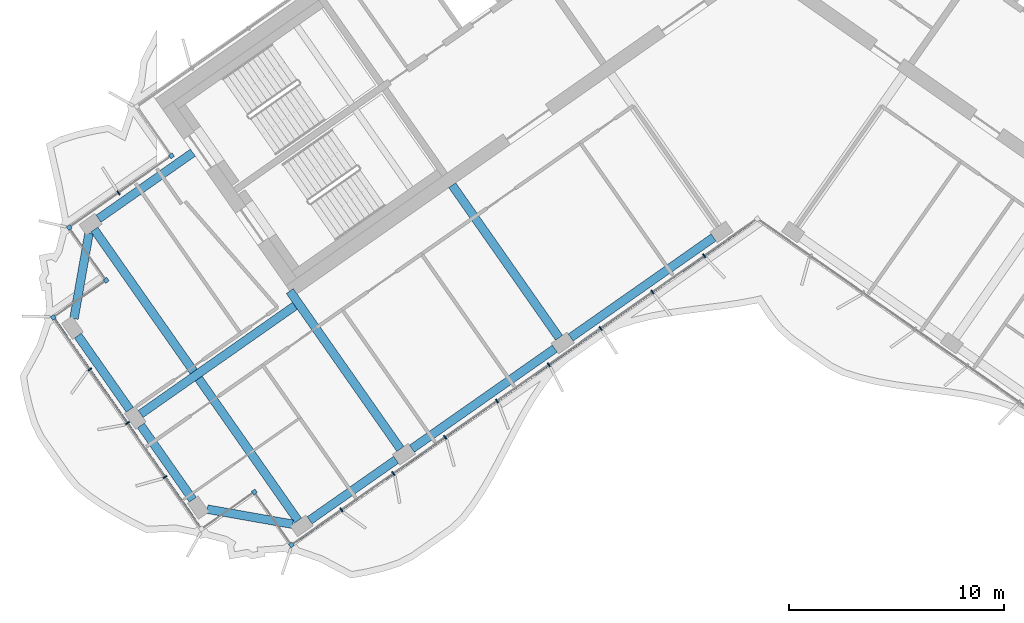
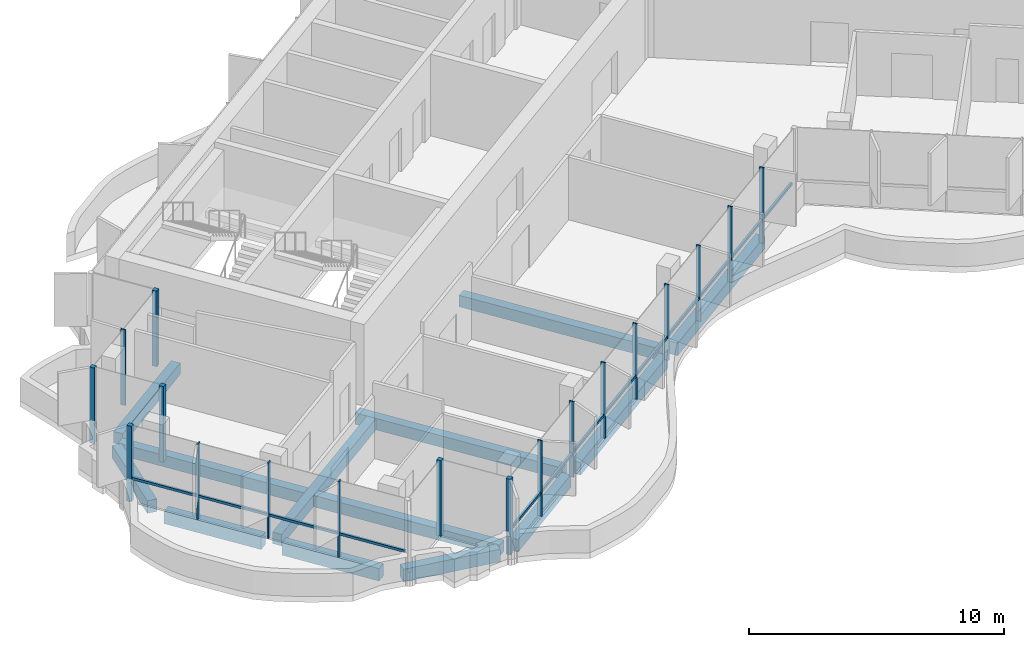
# One storey, part 2 of 17: 20 members, 12 beams, 2 elements without a shape of their own.
"""IFC4 building model written with IfcOpenShell, lengths in metres."""

from ifc_helpers import new_model, si_unit, direction, frame, origin, origin_2d, place, context, subcontext, project, spatial, rectangle, extrude, material, material_profile, profile_set, type_object, element, aggregate, save


model = new_model("IFC4")

# Units and contexts
model_context = context("Model", 3, precision=1e-05, world=origin(), true_north=direction((0.0, 1.0)))
body_context = subcontext(model_context, "Body", "Model", "MODEL_VIEW")
ifc_project = project(units=[si_unit("LENGTHUNIT", "METRE"), si_unit("AREAUNIT", "SQUARE_METRE"), si_unit("VOLUMEUNIT", "CUBIC_METRE"), si_unit("PLANEANGLEUNIT", "RADIAN"), si_unit("MASSUNIT", "GRAM", prefix="KILO")], contexts=[model_context])

# Site, building, storey
site_placement = place(None, origin())
site = spatial("IfcSite", under=ifc_project, at=site_placement, CompositionType="ELEMENT")
building_placement = place(site_placement, origin())
building = spatial("IfcBuilding", under=site, at=building_placement, Name="Tel Ilan Convention Tower", CompositionType="ELEMENT")
storey_placement = place(building_placement, frame((0.0, 0.0, 276.10009765625)))
storey = spatial("IfcBuildingStorey", under=building, at=storey_placement, Name="L65", CompositionType="ELEMENT", Elevation=276.10009765625)

# Beams
ifc_material_1 = material(Name="Concrete C40/50", Category="concrete")
ifc_material_profile_1 = material_profile(ifc_material_1, rectangle(XDim=0.39990234375, YDim=0.550048828125, at=origin_2d()), Name="RC 400x550")
ifc_profile_set_1 = profile_set([ifc_material_profile_1], Name="Concrete C40/50")
beam_type_1 = type_object("IfcBeamType", Name="Beam RC 400x550 Concrete C40/50", PredefinedType="BEAM", material=ifc_profile_set_1)
beam_1_placement = place(storey_placement, frame((-30.6005859375, -12.6982421875, -0.55517578125), z_axis=(0.819146154531, 0.573584847705, 0.0), x_axis=(-0.573584847705, 0.819146154531, 0.0)))
element("IfcBeam", 1, at=beam_1_placement, inside=storey, type_object=beam_type_1, Name="L65 beam W-W-BC-core", PredefinedType="BEAM", context=body_context, shape_type="SweptSolid", body=[
    extrude(rectangle(XDim=0.39990234375, YDim=0.550048828125, at=origin_2d()), origin(), (0.0, 0.0, 1.0), 5.349853515625),
])
beam_2_placement = place(storey_placement, frame((-9.209716796875, -18.229248046875, -0.55517578125), z_axis=(-0.573574099654, 0.819153680457, 0.0), x_axis=(-0.819153680457, -0.573574099654, 0.0)))
element("IfcBeam", 2, at=beam_2_placement, inside=storey, type_object=beam_type_1, Name="L65 beam W-W-F2-core", PredefinedType="BEAM", context=body_context, shape_type="SweptSolid", body=[
    extrude(rectangle(XDim=0.39990234375, YDim=0.550048828125, at=origin_2d()), origin(), (0.0, 0.0, 1.0), 8.64990234375),
])
beam_3_placement = place(storey_placement, frame((-16.58203125, -23.391357421875, -0.55517578125), z_axis=(-0.573584999642, 0.819146048141, 0.0), x_axis=(-0.819146048141, -0.573584999642, 0.0)))
element("IfcBeam", 3, at=beam_3_placement, inside=storey, type_object=beam_type_1, Name="L65 beam W-W-F3-core", PredefinedType="BEAM", context=body_context, shape_type="SweptSolid", body=[
    extrude(rectangle(XDim=0.39990234375, YDim=0.550048828125, at=origin_2d()), origin(), (0.0, 0.0, 1.0), 8.949951171875),
])
beam_4_placement = place(storey_placement, frame((-21.477783203125, -16.748046875, -0.55517578125), z_axis=(-0.819157197737, -0.573569076395, 0.0), x_axis=(0.573569076395, -0.819157197737, 0.0)))
element("IfcBeam", 4, at=beam_4_placement, inside=storey, type_object=beam_type_1, Name="L65 beam W-core-end", PredefinedType="BEAM", context=body_context, shape_type="SweptSolid", body=[
    extrude(rectangle(XDim=0.39990234375, YDim=0.550048828125, at=origin_2d()), origin(), (0.0, 0.0, 1.0), 8.75),
])
beam_5_placement = place(storey_placement, frame((-21.333251953125, -26.718017578125, -0.55517578125), z_axis=(-0.573574554643, 0.819153361872, 0.0), x_axis=(-0.819153361872, -0.573574554643, 0.0)))
element("IfcBeam", 5, at=beam_5_placement, inside=storey, type_object=beam_type_1, Name="L65 beam W-W-FC-W-BC", PredefinedType="BEAM", context=body_context, shape_type="SweptSolid", body=[
    extrude(rectangle(XDim=0.39990234375, YDim=0.550048828125, at=origin_2d()), origin(), (0.0, 0.0, 1.0), 16.499755859375),
])
ifc_material_2 = material(Name="Concrete C40/50", Category="concrete")
ifc_material_profile_2 = material_profile(ifc_material_2, rectangle(XDim=0.39990234375, YDim=0.60009765625, at=origin_2d()), Name="RC 400x600")
ifc_profile_set_2 = profile_set([ifc_material_profile_2], Name="Concrete C40/50")
beam_type_2 = type_object("IfcBeamType", Name="Beam RC 400x600 Concrete C40/50", PredefinedType="BEAM", material=ifc_profile_set_2)
beam_6_placement = place(storey_placement, frame((-2.033935546875, -13.57080078125, -0.580078125), z_axis=(-0.81914553362, -0.573585734437, 0.0), x_axis=(0.573585734437, -0.81914553362, 0.0)))
element("IfcBeam", 6, at=beam_6_placement, inside=storey, type_object=beam_type_2, Name="L65 beam W-W-F1-W-F2", PredefinedType="BEAM", context=body_context, shape_type="SweptSolid", body=[
    extrude(rectangle(XDim=0.39990234375, YDim=0.60009765625, at=origin_2d()), origin(), (0.0, 0.0, 1.0), 8.099853515625),
])
beam_7_placement = place(storey_placement, frame((-9.40625, -18.73291015625, -0.580078125), z_axis=(-0.819155449703, -0.573571572885, 0.0), x_axis=(0.573571572885, -0.819155449703, 0.0)))
element("IfcBeam", 7, at=beam_7_placement, inside=storey, type_object=beam_type_2, Name="L65 beam W-W-F2-W-F3", PredefinedType="BEAM", context=body_context, shape_type="SweptSolid", body=[
    extrude(rectangle(XDim=0.39990234375, YDim=0.60009765625, at=origin_2d()), origin(), (0.0, 0.0, 1.0), 8.10009765625),
])
beam_8_placement = place(storey_placement, frame((-16.778564453125, -23.895263671875, -0.580078125), z_axis=(-0.819154669329, -0.573572687386, 0.0), x_axis=(0.573572687386, -0.819154669329, 0.0)))
element("IfcBeam", 8, at=beam_8_placement, inside=storey, type_object=beam_type_2, Name="L65 beam W-W-F3-W-FC", PredefinedType="BEAM", context=body_context, shape_type="SweptSolid", body=[
    extrude(rectangle(XDim=0.39990234375, YDim=0.60009765625, at=origin_2d()), origin(), (0.0, 0.0, 1.0), 4.900146484375),
])
beam_9_placement = place(storey_placement, frame((-21.578857421875, -26.89013671875, -0.580078125), z_axis=(-0.984804894423, 0.173664388751, 0.0), x_axis=(-0.173664388751, -0.984804894423, 0.0)))
element("IfcBeam", 9, at=beam_9_placement, inside=storey, type_object=beam_type_2, Name="L65 beam W-W-FC-W-E1", PredefinedType="BEAM", context=body_context, shape_type="SweptSolid", body=[
    extrude(rectangle(XDim=0.39990234375, YDim=0.60009765625, at=origin_2d()), origin(), (0.0, 0.0, 1.0), 4.030517578125),
])
for number, where, z_axis, x_axis, name in (
    (10, (-26.22412109375, -25.748046875, -0.580078125), (-0.573563773994, 0.819160910421, 0.0), (-0.819160910421, -0.573563773994, 0.0), "L65 beam W-W-E1-W-E2"),
    (11, (-29.1494140625, -21.5703125, -0.580078125), (-0.573563773994, 0.819160910421, 0.0), (-0.819160910421, -0.573563773994, 0.0), "L65 beam W-W-E2-W-E3"),
):
    element("IfcBeam", number, at=place(storey_placement, frame(where, z_axis=z_axis, x_axis=x_axis)), inside=storey, type_object=beam_type_2, Name=name, PredefinedType="BEAM", context=body_context, shape_type="SweptSolid", body=[
        extrude(rectangle(XDim=0.39990234375, YDim=0.60009765625, at=origin_2d()), origin(), (0.0, 0.0, 1.0), 4.199951171875),
    ])
beam_10_placement = place(storey_placement, frame((-31.742919921875, -17.343505859375, -0.580078125), z_axis=(0.173664388751, 0.984804894423, 0.0), x_axis=(-0.984804894423, 0.173664388751, 0.0)))
element("IfcBeam", 12, at=beam_10_placement, inside=storey, type_object=beam_type_2, Name="L65 beam W-W-E3-W-BC", PredefinedType="BEAM", context=body_context, shape_type="SweptSolid", body=[
    extrude(rectangle(XDim=0.39990234375, YDim=0.60009765625, at=origin_2d()), origin(), (0.0, 0.0, 1.0), 4.030517578125),
])

# Curtain wall, member
ifc_material_3 = material(Name="Aluminium, bronze anodised", Category="aluminium")
curtain_wall_type_1 = type_object("IfcCurtainWallType", Name="CW2 STICK CURTAIN WALL, SPANDREL PANELS", PredefinedType="NOTDEFINED", material=ifc_material_3)
curtain_wall_1_placement = place(storey_placement, origin())
curtain_wall_1 = element("IfcCurtainWall", 13, at=curtain_wall_1_placement, inside=storey, type_object=curtain_wall_type_1, Name="Curtain wall CW2-50.01", PredefinedType="NOTDEFINED")
ifc_material_4 = material(Name="Aluminium, bronze anodised", Category="aluminium")
ifc_material_profile_3 = material_profile(ifc_material_4, rectangle(XDim=0.199951171875, YDim=0.199951171875, at=origin_2d()), Name="CW CORNER MULLION 200x200")
ifc_profile_set_3 = profile_set([ifc_material_profile_3], Name="Aluminium, bronze anodised")
member_type_1 = type_object("IfcMemberType", Name="CW CORNER MULLION 200x200", PredefinedType="MULLION", material=ifc_profile_set_3)
member_1_placement = place(storey_placement, frame((-27.213623046875, -9.77734375, 0.0), z_axis=(0.0, 0.0, 1.0), x_axis=(0.573576436351, -0.819152044289, 0.0)))
member_1 = element("IfcMember", 14, at=member_1_placement, type_object=member_type_1, Name="Corner mullion", PredefinedType="MULLION", context=body_context, shape_type="SweptSolid", body=[
    extrude(rectangle(XDim=0.199951171875, YDim=0.199951171875, at=origin_2d()), origin(), (0.0, 0.0, 1.0), 3.619873046875),
])
aggregate(curtain_wall_1, [member_1])

# Curtain wall, members
ifc_material_5 = material(Name="Aluminium, bronze anodised", Category="aluminium")
curtain_wall_type_2 = type_object("IfcCurtainWallType", Name="CW5 STICK CURTAIN WALL, UPPER OFFICE LOW-IRON TINTED GLASS", PredefinedType="NOTDEFINED", material=ifc_material_5)
curtain_wall_2_placement = place(storey_placement, origin())
curtain_wall_2 = element("IfcCurtainWall", 15, at=curtain_wall_2_placement, inside=storey, type_object=curtain_wall_type_2, Name="Curtain wall CW5-50.02", PredefinedType="NOTDEFINED")
member_2_placement = place(storey_placement, frame((-31.964599609375, -13.10400390625, 0.0), z_axis=(0.0, 0.0, 1.0), x_axis=(-0.819152044289, -0.573576436351, 0.0)))
member_2 = element("IfcMember", 16, at=member_2_placement, type_object=member_type_1, Name="Corner mullion", PredefinedType="MULLION", context=body_context, shape_type="SweptSolid", body=[
    extrude(rectangle(XDim=0.199951171875, YDim=0.199951171875, at=origin_2d()), origin(), (0.0, 0.0, 1.0), 3.619873046875),
])
member_3_placement = place(storey_placement, frame((-30.243896484375, -15.5615234375, 0.0), z_axis=(0.0, 0.0, 1.0), x_axis=(0.573576436351, -0.819152044289, 0.0)))
member_3 = element("IfcMember", 17, at=member_3_placement, type_object=member_type_1, Name="Corner mullion", PredefinedType="MULLION", context=body_context, shape_type="SweptSolid", body=[
    extrude(rectangle(XDim=0.199951171875, YDim=0.199951171875, at=origin_2d()), origin(), (0.0, 0.0, 1.0), 3.619873046875),
])
member_4_placement = place(storey_placement, frame((-32.701416015625, -17.2822265625, 0.0), z_axis=(0.0, 0.0, 1.0), x_axis=(-0.819152044289, -0.573576436351, 0.0)))
member_4 = element("IfcMember", 18, at=member_4_placement, type_object=member_type_1, Name="Corner mullion", PredefinedType="MULLION", context=body_context, shape_type="SweptSolid", body=[
    extrude(rectangle(XDim=0.199951171875, YDim=0.199951171875, at=origin_2d()), origin(), (0.0, 0.0, 1.0), 3.619873046875),
])
member_5_placement = place(storey_placement, frame((-23.36083984375, -25.391357421875, 0.0), z_axis=(0.0, 0.0, 1.0), x_axis=(0.819152044289, 0.573576436351, 0.0)))
member_5 = element("IfcMember", 19, at=member_5_placement, type_object=member_type_1, Name="Corner mullion", PredefinedType="MULLION", context=body_context, shape_type="SweptSolid", body=[
    extrude(rectangle(XDim=0.199951171875, YDim=0.199951171875, at=origin_2d()), origin(), (0.0, 0.0, 1.0), 3.619873046875),
])
member_6_placement = place(storey_placement, frame((-21.64013671875, -27.8486328125, 0.0), z_axis=(0.0, 0.0, 1.0), x_axis=(0.573576436351, -0.819152044289, 0.0)))
member_6 = element("IfcMember", 20, at=member_6_placement, type_object=member_type_1, Name="Corner mullion", PredefinedType="MULLION", context=body_context, shape_type="SweptSolid", body=[
    extrude(rectangle(XDim=0.199951171875, YDim=0.199951171875, at=origin_2d()), origin(), (0.0, 0.0, 1.0), 3.619873046875),
])
ifc_material_6 = material(Name="Aluminium, bronze anodised", Category="aluminium")
ifc_material_profile_4 = material_profile(ifc_material_6, rectangle(XDim=0.06005859375, YDim=0.199951171875, at=origin_2d()), Name="CW MULLION 60x200")
ifc_profile_set_4 = profile_set([ifc_material_profile_4], Name="Aluminium, bronze anodised")
member_type_2 = type_object("IfcMemberType", Name="CW MULLION 60x200", PredefinedType="MULLION", material=ifc_profile_set_4)
member_7_placement = place(storey_placement, frame((-29.6708984375, -11.498046875, 0.0), z_axis=(0.0, 0.0, 1.0), x_axis=(-0.819152044289, -0.573576436351, 0.0)))
member_7 = element("IfcMember", 21, at=member_7_placement, type_object=member_type_2, Name="Mullion", PredefinedType="MULLION", context=body_context, shape_type="SweptSolid", body=[
    extrude(rectangle(XDim=0.06005859375, YDim=0.199951171875, at=origin_2d()), origin(), (0.0, 0.0, 1.0), 3.619873046875),
])
member_8_placement = place(storey_placement, frame((-31.00927734375, -19.69873046875, 0.0), z_axis=(0.0, 0.0, 1.0), x_axis=(0.573576436351, -0.819152044289, 0.0)))
member_8 = element("IfcMember", 22, at=member_8_placement, type_object=member_type_2, Name="Mullion", PredefinedType="MULLION", context=body_context, shape_type="SweptSolid", body=[
    extrude(rectangle(XDim=0.06005859375, YDim=0.199951171875, at=origin_2d()), origin(), (0.0, 0.0, 1.0), 3.619873046875),
])
member_9_placement = place(storey_placement, frame((-29.259765625, -22.197021484375, 0.0), z_axis=(0.0, 0.0, 1.0), x_axis=(0.573576436351, -0.819152044289, 0.0)))
member_9 = element("IfcMember", 23, at=member_9_placement, type_object=member_type_2, Name="Mullion", PredefinedType="MULLION", context=body_context, shape_type="SweptSolid", body=[
    extrude(rectangle(XDim=0.06005859375, YDim=0.199951171875, at=origin_2d()), origin(), (0.0, 0.0, 1.0), 3.619873046875),
])
member_10_placement = place(storey_placement, frame((-27.510498046875, -24.695556640625, 0.0), z_axis=(0.0, 0.0, 1.0), x_axis=(0.573576436351, -0.819152044289, 0.0)))
member_10 = element("IfcMember", 24, at=member_10_placement, type_object=member_type_2, Name="Mullion", PredefinedType="MULLION", context=body_context, shape_type="SweptSolid", body=[
    extrude(rectangle(XDim=0.06005859375, YDim=0.199951171875, at=origin_2d()), origin(), (0.0, 0.0, 1.0), 3.619873046875),
])
member_11_placement = place(storey_placement, frame((-19.31494140625, -26.220458984375, 0.0), z_axis=(0.0, 0.0, 1.0), x_axis=(0.819152044289, 0.573576436351, 0.0)))
member_11 = element("IfcMember", 25, at=member_11_placement, type_object=member_type_2, Name="Mullion", PredefinedType="MULLION", context=body_context, shape_type="SweptSolid", body=[
    extrude(rectangle(XDim=0.06005859375, YDim=0.199951171875, at=origin_2d()), origin(), (0.0, 0.0, 1.0), 3.619873046875),
])
member_12_placement = place(storey_placement, frame((-16.90771484375, -24.534912109375, 0.0), z_axis=(0.0, 0.0, 1.0), x_axis=(0.819152044289, 0.573576436351, 0.0)))
member_12 = element("IfcMember", 26, at=member_12_placement, type_object=member_type_2, Name="Mullion", PredefinedType="MULLION", context=body_context, shape_type="SweptSolid", body=[
    extrude(rectangle(XDim=0.06005859375, YDim=0.199951171875, at=origin_2d()), origin(), (0.0, 0.0, 1.0), 3.619873046875),
])
member_13_placement = place(storey_placement, frame((-14.50048828125, -22.849365234375, 0.0), z_axis=(0.0, 0.0, 1.0), x_axis=(0.819152044289, 0.573576436351, 0.0)))
member_13 = element("IfcMember", 27, at=member_13_placement, type_object=member_type_2, Name="Mullion", PredefinedType="MULLION", context=body_context, shape_type="SweptSolid", body=[
    extrude(rectangle(XDim=0.06005859375, YDim=0.199951171875, at=origin_2d()), origin(), (0.0, 0.0, 1.0), 3.619873046875),
])
member_14_placement = place(storey_placement, frame((-12.09326171875, -21.163818359375, 0.0), z_axis=(0.0, 0.0, 1.0), x_axis=(0.819152044289, 0.573576436351, 0.0)))
member_14 = element("IfcMember", 28, at=member_14_placement, type_object=member_type_2, Name="Mullion", PredefinedType="MULLION", context=body_context, shape_type="SweptSolid", body=[
    extrude(rectangle(XDim=0.06005859375, YDim=0.199951171875, at=origin_2d()), origin(), (0.0, 0.0, 1.0), 3.619873046875),
])
member_15_placement = place(storey_placement, frame((-9.68603515625, -19.478271484375, 0.0), z_axis=(0.0, 0.0, 1.0), x_axis=(0.819152044289, 0.573576436351, 0.0)))
member_15 = element("IfcMember", 29, at=member_15_placement, type_object=member_type_2, Name="Mullion", PredefinedType="MULLION", context=body_context, shape_type="SweptSolid", body=[
    extrude(rectangle(XDim=0.06005859375, YDim=0.199951171875, at=origin_2d()), origin(), (0.0, 0.0, 1.0), 3.619873046875),
])
member_16_placement = place(storey_placement, frame((-7.279052734375, -17.792724609375, 0.0), z_axis=(0.0, 0.0, 1.0), x_axis=(0.819152044289, 0.573576436351, 0.0)))
member_16 = element("IfcMember", 30, at=member_16_placement, type_object=member_type_2, Name="Mullion", PredefinedType="MULLION", context=body_context, shape_type="SweptSolid", body=[
    extrude(rectangle(XDim=0.06005859375, YDim=0.199951171875, at=origin_2d()), origin(), (0.0, 0.0, 1.0), 3.619873046875),
])
member_17_placement = place(storey_placement, frame((-4.871826171875, -16.107177734375, 0.0), z_axis=(0.0, 0.0, 1.0), x_axis=(0.819152044289, 0.573576436351, 0.0)))
member_17 = element("IfcMember", 31, at=member_17_placement, type_object=member_type_2, Name="Mullion", PredefinedType="MULLION", context=body_context, shape_type="SweptSolid", body=[
    extrude(rectangle(XDim=0.06005859375, YDim=0.199951171875, at=origin_2d()), origin(), (0.0, 0.0, 1.0), 3.619873046875),
])
member_18_placement = place(storey_placement, frame((-2.464599609375, -14.421875, 0.0), z_axis=(0.0, 0.0, 1.0), x_axis=(0.819152044289, 0.573576436351, 0.0)))
member_18 = element("IfcMember", 32, at=member_18_placement, type_object=member_type_2, Name="Mullion", PredefinedType="MULLION", context=body_context, shape_type="SweptSolid", body=[
    extrude(rectangle(XDim=0.06005859375, YDim=0.199951171875, at=origin_2d()), origin(), (0.0, 0.0, 1.0), 3.619873046875),
])
ifc_material_7 = material(Name="Aluminium, bronze anodised", Category="aluminium")
ifc_material_profile_5 = material_profile(ifc_material_7, rectangle(XDim=0.10009765625, YDim=0.1201171875, at=origin_2d()), Name="CW TRANSOM 100x120")
ifc_profile_set_5 = profile_set([ifc_material_profile_5], Name="Aluminium, bronze anodised")
member_type_3 = type_object("IfcMemberType", Name="CW TRANSOM 100x120", PredefinedType="USERDEFINED", material=ifc_profile_set_5)
member_19_placement = place(storey_placement, frame((-32.64404296875, -17.364013671875, 1.099853515625), z_axis=(0.573581755582, -0.819148319698, 0.0), x_axis=(0.819148319698, 0.573581755582, 0.0)))
member_19 = element("IfcMember", 33, at=member_19_placement, type_object=member_type_3, Name="Transom", ObjectType="TRANSOM", PredefinedType="USERDEFINED", context=body_context, shape_type="SweptSolid", body=[
    extrude(rectangle(XDim=0.10009765625, YDim=0.1201171875, at=origin_2d()), origin(), (0.0, 0.0, 1.0), 11.800048828125),
])
member_20_placement = place(storey_placement, frame((-21.558349609375, -27.791259765625, 1.099853515625), z_axis=(0.819152212587, 0.573576195996, 0.0), x_axis=(-0.573576195996, 0.819152212587, 0.0)))
member_20 = element("IfcMember", 34, at=member_20_placement, type_object=member_type_3, Name="Transom", ObjectType="TRANSOM", PredefinedType="USERDEFINED", context=body_context, shape_type="SweptSolid", body=[
    extrude(rectangle(XDim=0.10009765625, YDim=0.1201171875, at=origin_2d()), origin(), (0.0, 0.0, 1.0), 26.0478515625),
])
aggregate(curtain_wall_2, [member_7, member_2, member_3, member_4, member_8, member_9, member_10, member_19, member_5, member_6, member_11, member_12, member_13, member_14, member_15, member_16, member_17, member_18, member_20])

save(model, "model.ifc")
